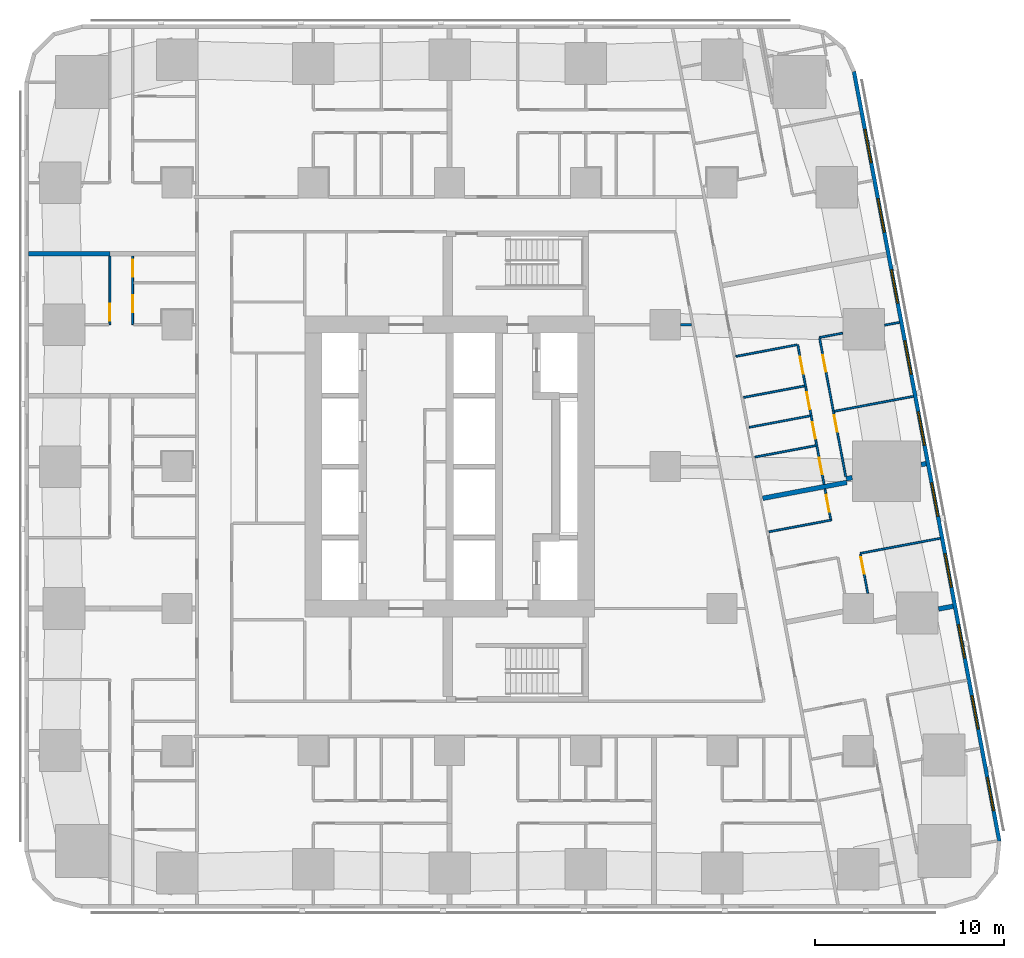
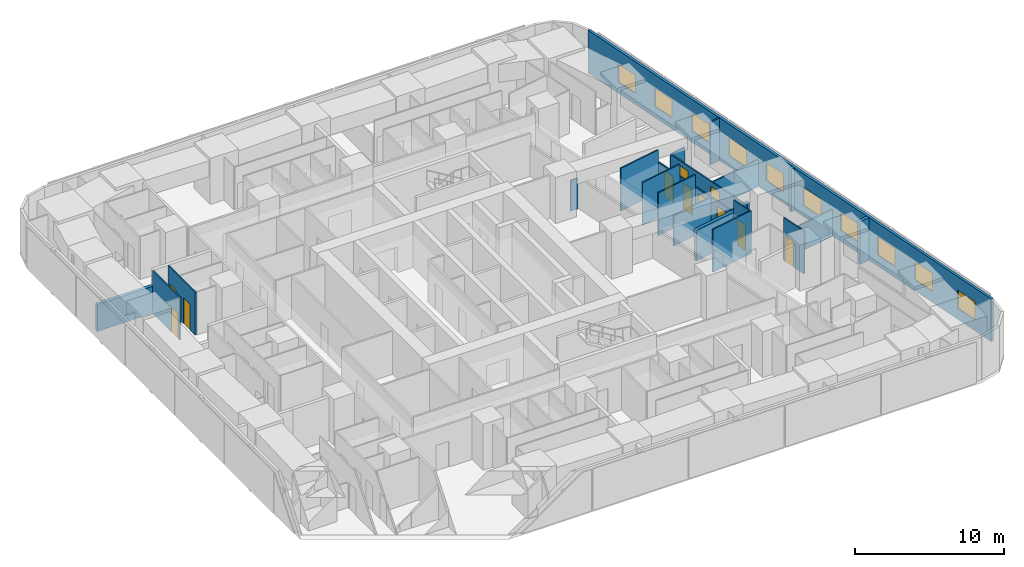
# One storey, part 7 of 15: 22 walls, 11 doors, 10 windows, 21 openings.
"""IFC4 building model written with IfcOpenShell, lengths in metres."""

from ifc_helpers import new_model, si_unit, direction, frame, frame_2d, origin, place, context, subcontext, project, spatial, rectangle, extrude, material, layer, layer_set, type_object, element, fill, save


model = new_model("IFC4")

# Units and contexts
model_context = context("Model", 3, precision=1e-05, world=origin(), true_north=direction((0.0, 1.0)))
body_context = subcontext(model_context, "Body", "Model", "MODEL_VIEW")
ifc_project = project(units=[si_unit("LENGTHUNIT", "METRE"), si_unit("AREAUNIT", "SQUARE_METRE"), si_unit("VOLUMEUNIT", "CUBIC_METRE"), si_unit("PLANEANGLEUNIT", "RADIAN"), si_unit("MASSUNIT", "GRAM", prefix="KILO")], contexts=[model_context])

# Site, building, storey
site_placement = place(None, origin())
site = spatial("IfcSite", under=ifc_project, at=site_placement, CompositionType="ELEMENT")
building_placement = place(site_placement, origin())
building = spatial("IfcBuilding", under=site, at=building_placement, Name="Sheger Commons Tower", CompositionType="ELEMENT")
storey_placement = place(building_placement, frame((0.0, 0.0, 100.39990234375)))
storey = spatial("IfcBuildingStorey", under=building, at=storey_placement, Name="L25", CompositionType="ELEMENT", Elevation=100.39990234375)

# Walls
ifc_material_1 = material(Name="Dense concrete block masonry, plastered both sides (separating wall between flats)", Category="masonry")
ifc_layer_1 = layer(ifc_material_1, 0.25)
ifc_layer_set_1 = layer_set([ifc_layer_1], Name="DEMISING WALL 250")
wall_type_1 = type_object("IfcWallType", Name="DEMISING WALL 250", PredefinedType="SOLIDWALL", material=ifc_layer_set_1)
wall_1_placement = place(storey_placement, frame((-0.64990234375, 33.75, 0.0), z_axis=(0.0, 0.0, 1.0), x_axis=(1.0, 0.0, 0.0)))
element("IfcWall", 1, at=wall_1_placement, inside=storey, type_object=wall_type_1, Name="Demising wall L25", PredefinedType="SOLIDWALL", context=body_context, shape_type="SweptSolid", body=[
    extrude(rectangle(XDim=4.2998046875, YDim=0.25, at=frame_2d((2.14990234375, 0.0))), origin(), (0.0, 0.0, 1.0), 2.2001953125),
])
wall_2_placement = place(storey_placement, frame((46.781982421875, 22.656982421875, 0.0), z_axis=(0.0, 0.0, 1.0), x_axis=(-0.982104607121, -0.188336243648, 0.0)))
element("IfcWall", 2, at=wall_2_placement, inside=storey, type_object=wall_type_1, Name="Demising wall L25", PredefinedType="SOLIDWALL", context=body_context, shape_type="SweptSolid", body=[
    extrude(rectangle(XDim=0.265625, YDim=0.25, at=frame_2d((0.1328125, 0.0))), origin(), (0.0, 0.0, 1.0), 3.5),
])
wall_3_placement = place(storey_placement, frame((42.873046875, 21.91796875, 0.0), z_axis=(0.0, 0.0, 1.0), x_axis=(-0.982431406936, -0.186624035603, 0.0)))
element("IfcWall", 3, at=wall_3_placement, inside=storey, type_object=wall_type_1, Name="Demising wall L25", PredefinedType="SOLIDWALL", context=body_context, shape_type="SweptSolid", body=[
    extrude(rectangle(XDim=0.32177734375, YDim=0.25, at=frame_2d((0.160888671875, 0.0))), origin(), (0.0, 0.0, 1.0), 2.5),
])
wall_4_placement = place(storey_placement, frame((42.593017578125, 21.6650390625, 0.0), z_axis=(0.0, 0.0, 1.0), x_axis=(-0.982612837616, -0.185666398014, 0.0)))
element("IfcWall", 4, at=wall_4_placement, inside=storey, type_object=wall_type_1, Name="Demising wall L25", PredefinedType="SOLIDWALL", context=body_context, shape_type="SweptSolid", body=[
    extrude(rectangle(XDim=4.524658203125, YDim=0.25, at=frame_2d((2.26220703125, 0.0))), origin(), (0.0, 0.0, 1.0), 2.5),
])
wall_5_placement = place(storey_placement, frame((48.2060546875, 15.1201171875, 0.0), z_axis=(0.0, 0.0, 1.0), x_axis=(-0.982638023929, -0.185533053469, 0.0)))
element("IfcWall", 5, at=wall_5_placement, inside=storey, type_object=wall_type_1, Name="Demising wall L25", PredefinedType="SOLIDWALL", context=body_context, shape_type="SweptSolid", body=[
    extrude(rectangle(XDim=0.78173828125, YDim=0.25, at=frame_2d((0.390869140625, 0.0))), origin(), (0.0, 0.0, 1.0), 3.5),
])

# Wall, openings, windows
ifc_material_2 = material(Name="Rendered concrete block masonry, dark grey", Category="masonry")
ifc_layer_2 = layer(ifc_material_2, 0.199951171875)
ifc_layer_set_2 = layer_set([ifc_layer_2], Name="FACADE WALL 200")
wall_type_2 = type_object("IfcWallType", Name="FACADE WALL 200", PredefinedType="SOLIDWALL", material=ifc_layer_set_2)
wall_6_placement = place(storey_placement, frame((50.653076171875, 2.702880859375, 0.0), z_axis=(0.0, 0.0, 1.0), x_axis=(-0.185612026696, 0.982623109613, 0.0)))
wall_6 = element("IfcWall", 6, at=wall_6_placement, inside=storey, type_object=wall_type_2, Name="Facade wall L25", PredefinedType="SOLIDWALL", context=body_context, shape_type="SweptSolid", body=[
    extrude(rectangle(XDim=41.393310546875, YDim=0.199951171875, at=frame_2d((20.69677734375, 0.0))), origin(), (0.0, 0.0, 1.0), 3.5),
])
opening_1_placement = place(wall_6_placement, frame((1.633056640625, 0.0, 0.89990234375)))
opening_1 = element("IfcOpeningElement", 7, at=opening_1_placement, cuts=wall_6, Name="Opening W2", PredefinedType="OPENING", context=body_context, shape_type="SweptSolid", body=[
    extrude(rectangle(XDim=1.800048828125, YDim=1.5, at=frame_2d((0.89990234375, 0.75))), frame((0.0, 0.10986328125, 0.0), z_axis=(0.0, -1.0, 0.0), x_axis=(1.0, 0.0, 0.0)), (0.0, 0.0, 1.0), 0.219970703125),
])
opening_2_placement = place(wall_6_placement, frame((6.031982421875, 0.0, 0.89990234375)))
opening_2 = element("IfcOpeningElement", 8, at=opening_2_placement, cuts=wall_6, Name="Opening W2", PredefinedType="OPENING", context=body_context, shape_type="SweptSolid", body=[
    extrude(rectangle(XDim=1.800048828125, YDim=1.5, at=frame_2d((0.89990234375, 0.75))), frame((0.0, 0.10986328125, 0.0), z_axis=(0.0, -1.0, 0.0), x_axis=(1.0, 0.0, 0.0)), (0.0, 0.0, 1.0), 0.219970703125),
])
opening_3_placement = place(wall_6_placement, frame((9.847900390625, 0.0, 0.89990234375)))
opening_3 = element("IfcOpeningElement", 9, at=opening_3_placement, cuts=wall_6, Name="Opening W2", PredefinedType="OPENING", context=body_context, shape_type="SweptSolid", body=[
    extrude(rectangle(XDim=1.800048828125, YDim=1.5, at=frame_2d((0.89990234375, 0.75))), frame((0.0, 0.10986328125, 0.0), z_axis=(0.0, -1.0, 0.0), x_axis=(1.0, 0.0, 0.0)), (0.0, 0.0, 1.0), 0.219970703125),
])
opening_4_placement = place(wall_6_placement, frame((13.6640625, 0.0, 0.89990234375)))
opening_4 = element("IfcOpeningElement", 10, at=opening_4_placement, cuts=wall_6, Name="Opening W2", PredefinedType="OPENING", context=body_context, shape_type="SweptSolid", body=[
    extrude(rectangle(XDim=1.800048828125, YDim=1.5, at=frame_2d((0.89990234375, 0.75))), frame((0.0, 0.10986328125, 0.0), z_axis=(0.0, -1.0, 0.0), x_axis=(1.0, 0.0, 0.0)), (0.0, 0.0, 1.0), 0.219970703125),
])
opening_5_placement = place(wall_6_placement, frame((17.48095703125, 0.0, 0.89990234375)))
opening_5 = element("IfcOpeningElement", 11, at=opening_5_placement, cuts=wall_6, Name="Opening W2", PredefinedType="OPENING", context=body_context, shape_type="SweptSolid", body=[
    extrude(rectangle(XDim=1.800048828125, YDim=1.5, at=frame_2d((0.89990234375, 0.75))), frame((0.0, 0.10986328125, 0.0), z_axis=(0.0, -1.0, 0.0), x_axis=(1.0, 0.0, 0.0)), (0.0, 0.0, 1.0), 0.219970703125),
])
opening_6_placement = place(wall_6_placement, frame((21.297119140625, 0.0, 0.89990234375)))
opening_6 = element("IfcOpeningElement", 12, at=opening_6_placement, cuts=wall_6, Name="Opening W2", PredefinedType="OPENING", context=body_context, shape_type="SweptSolid", body=[
    extrude(rectangle(XDim=1.800048828125, YDim=1.5, at=frame_2d((0.89990234375, 0.75))), frame((0.0, 0.10986328125, 0.0), z_axis=(0.0, -1.0, 0.0), x_axis=(1.0, 0.0, 0.0)), (0.0, 0.0, 1.0), 0.219970703125),
])
opening_7_placement = place(wall_6_placement, frame((25.113037109375, 0.0, 0.89990234375)))
opening_7 = element("IfcOpeningElement", 13, at=opening_7_placement, cuts=wall_6, Name="Opening W2", PredefinedType="OPENING", context=body_context, shape_type="SweptSolid", body=[
    extrude(rectangle(XDim=1.800048828125, YDim=1.5, at=frame_2d((0.89990234375, 0.75))), frame((0.0, 0.10986328125, 0.0), z_axis=(0.0, -1.0, 0.0), x_axis=(1.0, 0.0, 0.0)), (0.0, 0.0, 1.0), 0.219970703125),
])
opening_8_placement = place(wall_6_placement, frame((28.929931640625, 0.0, 0.89990234375)))
opening_8 = element("IfcOpeningElement", 14, at=opening_8_placement, cuts=wall_6, Name="Opening W2", PredefinedType="OPENING", context=body_context, shape_type="SweptSolid", body=[
    extrude(rectangle(XDim=1.800048828125, YDim=1.5, at=frame_2d((0.89990234375, 0.75))), frame((0.0, 0.10986328125, 0.0), z_axis=(0.0, -1.0, 0.0), x_axis=(1.0, 0.0, 0.0)), (0.0, 0.0, 1.0), 0.219970703125),
])
opening_9_placement = place(wall_6_placement, frame((32.74609375, 0.0, 0.89990234375)))
opening_9 = element("IfcOpeningElement", 15, at=opening_9_placement, cuts=wall_6, Name="Opening W2", PredefinedType="OPENING", context=body_context, shape_type="SweptSolid", body=[
    extrude(rectangle(XDim=1.800048828125, YDim=1.5, at=frame_2d((0.89990234375, 0.75))), frame((0.0, 0.10986328125, 0.0), z_axis=(0.0, -1.0, 0.0), x_axis=(1.0, 0.0, 0.0)), (0.0, 0.0, 1.0), 0.219970703125),
])
opening_10_placement = place(wall_6_placement, frame((36.48095703125, 0.0, 0.89990234375)))
opening_10 = element("IfcOpeningElement", 16, at=opening_10_placement, cuts=wall_6, Name="Opening W2", PredefinedType="OPENING", context=body_context, shape_type="SweptSolid", body=[
    extrude(rectangle(XDim=1.800048828125, YDim=1.5, at=frame_2d((0.89990234375, 0.75))), frame((0.0, 0.10986328125, 0.0), z_axis=(0.0, -1.0, 0.0), x_axis=(1.0, 0.0, 0.0)), (0.0, 0.0, 1.0), 0.219970703125),
])
ifc_material_3 = material(Name="Black aluminium frame, dark tinted double glazing", Category="aluminium")
window_type = type_object("IfcWindowType", Name="WINDOW W2 1800x1500", PartitioningType="SINGLE_PANEL", PredefinedType="WINDOW", material=ifc_material_3)
window_1_placement = place(opening_1_placement, origin())
window_1 = element("IfcWindow", 17, at=window_1_placement, inside=storey, type_object=window_type, Name="Window W2 1800X1500", OverallHeight=1.5, OverallWidth=1.800048828125, PartitioningType="SINGLE_PANEL", PredefinedType="WINDOW", context=body_context, shape_type="SweptSolid", body=[
    extrude(rectangle(XDim=1.800048828125, YDim=1.5, at=frame_2d((0.89990234375, 0.75))), frame((0.0, 0.030029296875, 0.0), z_axis=(0.0, -1.0, 0.0), x_axis=(1.0, 0.0, 0.0)), (0.0, 0.0, 1.0), 0.06005859375),
])
fill(opening_1, window_1)
window_2_placement = place(opening_2_placement, origin())
window_2 = element("IfcWindow", 18, at=window_2_placement, inside=storey, type_object=window_type, Name="Window W2 1800X1500", OverallHeight=1.5, OverallWidth=1.800048828125, PartitioningType="SINGLE_PANEL", PredefinedType="WINDOW", context=body_context, shape_type="SweptSolid", body=[
    extrude(rectangle(XDim=1.800048828125, YDim=1.5, at=frame_2d((0.89990234375, 0.75))), frame((0.0, 0.030029296875, 0.0), z_axis=(0.0, -1.0, 0.0), x_axis=(1.0, 0.0, 0.0)), (0.0, 0.0, 1.0), 0.06005859375),
])
fill(opening_2, window_2)
window_3_placement = place(opening_3_placement, origin())
window_3 = element("IfcWindow", 19, at=window_3_placement, inside=storey, type_object=window_type, Name="Window W2 1800X1500", OverallHeight=1.5, OverallWidth=1.800048828125, PartitioningType="SINGLE_PANEL", PredefinedType="WINDOW", context=body_context, shape_type="SweptSolid", body=[
    extrude(rectangle(XDim=1.800048828125, YDim=1.5, at=frame_2d((0.89990234375, 0.75))), frame((0.0, 0.030029296875, 0.0), z_axis=(0.0, -1.0, 0.0), x_axis=(1.0, 0.0, 0.0)), (0.0, 0.0, 1.0), 0.06005859375),
])
fill(opening_3, window_3)
window_4_placement = place(opening_4_placement, origin())
window_4 = element("IfcWindow", 20, at=window_4_placement, inside=storey, type_object=window_type, Name="Window W2 1800X1500", OverallHeight=1.5, OverallWidth=1.800048828125, PartitioningType="SINGLE_PANEL", PredefinedType="WINDOW", context=body_context, shape_type="SweptSolid", body=[
    extrude(rectangle(XDim=1.800048828125, YDim=1.5, at=frame_2d((0.89990234375, 0.75))), frame((0.0, 0.030029296875, 0.0), z_axis=(0.0, -1.0, 0.0), x_axis=(1.0, 0.0, 0.0)), (0.0, 0.0, 1.0), 0.06005859375),
])
fill(opening_4, window_4)
window_5_placement = place(opening_5_placement, origin())
window_5 = element("IfcWindow", 21, at=window_5_placement, inside=storey, type_object=window_type, Name="Window W2 1800X1500", OverallHeight=1.5, OverallWidth=1.800048828125, PartitioningType="SINGLE_PANEL", PredefinedType="WINDOW", context=body_context, shape_type="SweptSolid", body=[
    extrude(rectangle(XDim=1.800048828125, YDim=1.5, at=frame_2d((0.89990234375, 0.75))), frame((0.0, 0.030029296875, 0.0), z_axis=(0.0, -1.0, 0.0), x_axis=(1.0, 0.0, 0.0)), (0.0, 0.0, 1.0), 0.06005859375),
])
fill(opening_5, window_5)
window_6_placement = place(opening_6_placement, origin())
window_6 = element("IfcWindow", 22, at=window_6_placement, inside=storey, type_object=window_type, Name="Window W2 1800X1500", OverallHeight=1.5, OverallWidth=1.800048828125, PartitioningType="SINGLE_PANEL", PredefinedType="WINDOW", context=body_context, shape_type="SweptSolid", body=[
    extrude(rectangle(XDim=1.800048828125, YDim=1.5, at=frame_2d((0.89990234375, 0.75))), frame((0.0, 0.030029296875, 0.0), z_axis=(0.0, -1.0, 0.0), x_axis=(1.0, 0.0, 0.0)), (0.0, 0.0, 1.0), 0.06005859375),
])
fill(opening_6, window_6)
window_7_placement = place(opening_7_placement, origin())
window_7 = element("IfcWindow", 23, at=window_7_placement, inside=storey, type_object=window_type, Name="Window W2 1800X1500", OverallHeight=1.5, OverallWidth=1.800048828125, PartitioningType="SINGLE_PANEL", PredefinedType="WINDOW", context=body_context, shape_type="SweptSolid", body=[
    extrude(rectangle(XDim=1.800048828125, YDim=1.5, at=frame_2d((0.89990234375, 0.75))), frame((0.0, 0.030029296875, 0.0), z_axis=(0.0, -1.0, 0.0), x_axis=(1.0, 0.0, 0.0)), (0.0, 0.0, 1.0), 0.06005859375),
])
fill(opening_7, window_7)
window_8_placement = place(opening_8_placement, origin())
window_8 = element("IfcWindow", 24, at=window_8_placement, inside=storey, type_object=window_type, Name="Window W2 1800X1500", OverallHeight=1.5, OverallWidth=1.800048828125, PartitioningType="SINGLE_PANEL", PredefinedType="WINDOW", context=body_context, shape_type="SweptSolid", body=[
    extrude(rectangle(XDim=1.800048828125, YDim=1.5, at=frame_2d((0.89990234375, 0.75))), frame((0.0, 0.030029296875, 0.0), z_axis=(0.0, -1.0, 0.0), x_axis=(1.0, 0.0, 0.0)), (0.0, 0.0, 1.0), 0.06005859375),
])
fill(opening_8, window_8)
window_9_placement = place(opening_9_placement, origin())
window_9 = element("IfcWindow", 25, at=window_9_placement, inside=storey, type_object=window_type, Name="Window W2 1800X1500", OverallHeight=1.5, OverallWidth=1.800048828125, PartitioningType="SINGLE_PANEL", PredefinedType="WINDOW", context=body_context, shape_type="SweptSolid", body=[
    extrude(rectangle(XDim=1.800048828125, YDim=1.5, at=frame_2d((0.89990234375, 0.75))), frame((0.0, 0.030029296875, 0.0), z_axis=(0.0, -1.0, 0.0), x_axis=(1.0, 0.0, 0.0)), (0.0, 0.0, 1.0), 0.06005859375),
])
fill(opening_9, window_9)
window_10_placement = place(opening_10_placement, origin())
window_10 = element("IfcWindow", 26, at=window_10_placement, inside=storey, type_object=window_type, Name="Window W2 1800X1500", OverallHeight=1.5, OverallWidth=1.800048828125, PartitioningType="SINGLE_PANEL", PredefinedType="WINDOW", context=body_context, shape_type="SweptSolid", body=[
    extrude(rectangle(XDim=1.800048828125, YDim=1.5, at=frame_2d((0.89990234375, 0.75))), frame((0.0, 0.030029296875, 0.0), z_axis=(0.0, -1.0, 0.0), x_axis=(1.0, 0.0, 0.0)), (0.0, 0.0, 1.0), 0.06005859375),
])
fill(opening_10, window_10)

# Wall, opening, door
ifc_material_4 = material(Name="Gypsum board on steel studs", Category="steel")
ifc_layer_3 = layer(ifc_material_4, 0.10009765625)
ifc_layer_set_3 = layer_set([ifc_layer_3], Name="PARTITION 100")
wall_type_3 = type_object("IfcWallType", Name="PARTITION 100", PredefinedType="PARTITIONING", material=ifc_layer_set_3)
wall_7_placement = place(storey_placement, frame((3.64990234375, 30.0, 0.0), z_axis=(0.0, 0.0, 1.0), x_axis=(0.0, 1.0, 0.0)))
wall_7 = element("IfcWall", 27, at=wall_7_placement, inside=storey, type_object=wall_type_3, Name="Partition L25", PredefinedType="PARTITIONING", context=body_context, shape_type="SweptSolid", body=[
    extrude(rectangle(XDim=3.625, YDim=0.10009765625, at=frame_2d((1.8125, 0.0))), origin(), (0.0, 0.0, 1.0), 3.5),
])
opening_11_placement = place(wall_7_placement, frame((0.199951171875, 0.0, 0.0)))
opening_11 = element("IfcOpeningElement", 28, at=opening_11_placement, cuts=wall_7, Name="Opening D2", PredefinedType="OPENING", context=body_context, shape_type="SweptSolid", body=[
    extrude(rectangle(XDim=0.89990234375, YDim=2.10009765625, at=frame_2d((0.449951171875, 1.050048828125))), frame((0.0, 0.06005859375, 0.0), z_axis=(0.0, -1.0, 0.0), x_axis=(1.0, 0.0, 0.0)), (0.0, 0.0, 1.0), 0.1201171875),
])
ifc_material_5 = material(Name="Timber door set", Category="wood")
door_type = type_object("IfcDoorType", Name="INTERNAL DOOR 900x2100", OperationType="NOTDEFINED", PredefinedType="DOOR", material=ifc_material_5)
door_1_placement = place(opening_11_placement, origin())
door_1 = element("IfcDoor", 29, at=door_1_placement, inside=storey, type_object=door_type, Name="Main bedroom door", OperationType="SINGLE_SWING_LEFT", OverallHeight=2.10009765625, OverallWidth=0.89990234375, PredefinedType="DOOR", context=body_context, shape_type="SweptSolid", body=[
    extrude(rectangle(XDim=0.89990234375, YDim=2.10009765625, at=frame_2d((0.449951171875, 1.050048828125))), frame((0.0, 0.02490234375, 0.0), z_axis=(0.0, -1.0, 0.0), x_axis=(1.0, 0.0, 0.0)), (0.0, 0.0, 1.0), 0.050048828125),
])
fill(opening_11, door_1)

# Wall, openings, doors
wall_8_placement = place(storey_placement, frame((4.85009765625, 30.0, 0.0), z_axis=(0.0, 0.0, 1.0), x_axis=(0.0, 1.0, 0.0)))
wall_8 = element("IfcWall", 30, at=wall_8_placement, inside=storey, type_object=wall_type_3, Name="Partition L25", PredefinedType="PARTITIONING", context=body_context, shape_type="SweptSolid", body=[
    extrude(rectangle(XDim=3.625, YDim=0.10009765625, at=frame_2d((1.8125, 0.0))), origin(), (0.0, 0.0, 1.0), 3.5),
])
opening_12_placement = place(wall_8_placement, frame((0.655029296875, 0.0, 0.0)))
opening_12 = element("IfcOpeningElement", 31, at=opening_12_placement, cuts=wall_8, Name="Opening D2", PredefinedType="OPENING", context=body_context, shape_type="SweptSolid", body=[
    extrude(rectangle(XDim=0.89990234375, YDim=2.10009765625, at=frame_2d((0.449951171875, 1.050048828125))), frame((0.0, 0.06005859375, 0.0), z_axis=(0.0, -1.0, 0.0), x_axis=(1.0, 0.0, 0.0)), (0.0, 0.0, 1.0), 0.1201171875),
])
opening_13_placement = place(wall_8_placement, frame((2.530029296875, 0.0, 0.0)))
opening_13 = element("IfcOpeningElement", 32, at=opening_13_placement, cuts=wall_8, Name="Opening D2", PredefinedType="OPENING", context=body_context, shape_type="SweptSolid", body=[
    extrude(rectangle(XDim=0.89990234375, YDim=2.10009765625, at=frame_2d((0.449951171875, 1.050048828125))), frame((0.0, 0.06005859375, 0.0), z_axis=(0.0, -1.0, 0.0), x_axis=(1.0, 0.0, 0.0)), (0.0, 0.0, 1.0), 0.1201171875),
])
door_2_placement = place(opening_12_placement, origin())
door_2 = element("IfcDoor", 33, at=door_2_placement, inside=storey, type_object=door_type, Name="Bathroom door", OperationType="SINGLE_SWING_RIGHT", OverallHeight=2.10009765625, OverallWidth=0.89990234375, PredefinedType="DOOR", context=body_context, shape_type="SweptSolid", body=[
    extrude(rectangle(XDim=0.89990234375, YDim=2.10009765625, at=frame_2d((0.449951171875, 1.050048828125))), frame((0.0, 0.02490234375, 0.0), z_axis=(0.0, -1.0, 0.0), x_axis=(1.0, 0.0, 0.0)), (0.0, 0.0, 1.0), 0.050048828125),
])
fill(opening_12, door_2)
door_3_placement = place(opening_13_placement, origin())
door_3 = element("IfcDoor", 34, at=door_3_placement, inside=storey, type_object=door_type, Name="Store door", OperationType="SINGLE_SWING_LEFT", OverallHeight=2.10009765625, OverallWidth=0.89990234375, PredefinedType="DOOR", context=body_context, shape_type="SweptSolid", body=[
    extrude(rectangle(XDim=0.89990234375, YDim=2.10009765625, at=frame_2d((0.449951171875, 1.050048828125))), frame((0.0, 0.02490234375, 0.0), z_axis=(0.0, -1.0, 0.0), x_axis=(1.0, 0.0, 0.0)), (0.0, 0.0, 1.0), 0.050048828125),
])
fill(opening_13, door_3)

wall_9_placement = place(storey_placement, frame((41.156982421875, 29.27294921875, 0.0), z_axis=(0.0, 0.0, 1.0), x_axis=(0.18542464283, -0.982658486877, 0.0)))
wall_9 = element("IfcWall", 35, at=wall_9_placement, inside=storey, type_object=wall_type_3, Name="Partition L25", PredefinedType="PARTITIONING", context=body_context, shape_type="SweptSolid", body=[
    extrude(rectangle(XDim=7.420654296875, YDim=0.10009765625, at=frame_2d((3.71044921875, 0.0))), origin(), (0.0, 0.0, 1.0), 2.5),
])
opening_14_placement = place(wall_9_placement, frame((0.89990234375, 0.0, 0.0)))
opening_14 = element("IfcOpeningElement", 36, at=opening_14_placement, cuts=wall_9, Name="Opening D2", PredefinedType="OPENING", context=body_context, shape_type="SweptSolid", body=[
    extrude(rectangle(XDim=0.89990234375, YDim=2.10009765625, at=frame_2d((0.449951171875, 1.050048828125))), frame((0.0, 0.06005859375, 0.0), z_axis=(0.0, -1.0, 0.0), x_axis=(1.0, 0.0, 0.0)), (0.0, 0.0, 1.0), 0.1201171875),
])
opening_15_placement = place(wall_9_placement, frame((4.1259765625, 0.0, 0.0)))
opening_15 = element("IfcOpeningElement", 37, at=opening_15_placement, cuts=wall_9, Name="Opening D2", PredefinedType="OPENING", context=body_context, shape_type="SweptSolid", body=[
    extrude(rectangle(XDim=0.89990234375, YDim=2.10009765625, at=frame_2d((0.449951171875, 1.050048828125))), frame((0.0, 0.06005859375, 0.0), z_axis=(0.0, -1.0, 0.0), x_axis=(1.0, 0.0, 0.0)), (0.0, 0.0, 1.0), 0.1201171875),
])
door_4_placement = place(opening_14_placement, origin())
door_4 = element("IfcDoor", 38, at=door_4_placement, inside=storey, type_object=door_type, Name="Main bedroom door", OperationType="SINGLE_SWING_LEFT", OverallHeight=2.10009765625, OverallWidth=0.89990234375, PredefinedType="DOOR", context=body_context, shape_type="SweptSolid", body=[
    extrude(rectangle(XDim=0.89990234375, YDim=2.10009765625, at=frame_2d((0.449951171875, 1.050048828125))), frame((0.0, 0.02490234375, 0.0), z_axis=(0.0, -1.0, 0.0), x_axis=(1.0, 0.0, 0.0)), (0.0, 0.0, 1.0), 0.050048828125),
])
fill(opening_14, door_4)
door_5_placement = place(opening_15_placement, origin())
door_5 = element("IfcDoor", 39, at=door_5_placement, inside=storey, type_object=door_type, Name="Bedroom 2 door", OperationType="SINGLE_SWING_LEFT", OverallHeight=2.10009765625, OverallWidth=0.89990234375, PredefinedType="DOOR", context=body_context, shape_type="SweptSolid", body=[
    extrude(rectangle(XDim=0.89990234375, YDim=2.10009765625, at=frame_2d((0.449951171875, 1.050048828125))), frame((0.0, 0.02490234375, 0.0), z_axis=(0.0, -1.0, 0.0), x_axis=(1.0, 0.0, 0.0)), (0.0, 0.0, 1.0), 0.050048828125),
])
fill(opening_15, door_5)

wall_10_placement = place(storey_placement, frame((39.9970703125, 28.94189453125, 0.0), z_axis=(0.0, 0.0, 1.0), x_axis=(0.185686318797, -0.982609073341, 0.0)))
wall_10 = element("IfcWall", 40, at=wall_10_placement, inside=storey, type_object=wall_type_3, Name="Partition L25", PredefinedType="PARTITIONING", context=body_context, shape_type="SweptSolid", body=[
    extrude(rectangle(XDim=7.507568359375, YDim=0.10009765625, at=frame_2d((3.75390625, 0.0))), origin(), (0.0, 0.0, 1.0), 2.5),
])
opening_16_placement = place(wall_10_placement, frame((0.655029296875, 0.0, 0.0)))
opening_16 = element("IfcOpeningElement", 41, at=opening_16_placement, cuts=wall_10, Name="Opening D2", PredefinedType="OPENING", context=body_context, shape_type="SweptSolid", body=[
    extrude(rectangle(XDim=0.89990234375, YDim=2.10009765625, at=frame_2d((0.449951171875, 1.050048828125))), frame((0.0, 0.06005859375, 0.0), z_axis=(0.0, -1.0, 0.0), x_axis=(1.0, 0.0, 0.0)), (0.0, 0.0, 1.0), 0.1201171875),
])
opening_17_placement = place(wall_10_placement, frame((4.166015625, 0.0, 0.0)))
opening_17 = element("IfcOpeningElement", 42, at=opening_17_placement, cuts=wall_10, Name="Opening D2", PredefinedType="OPENING", context=body_context, shape_type="SweptSolid", body=[
    extrude(rectangle(XDim=0.89990234375, YDim=2.10009765625, at=frame_2d((0.449951171875, 1.050048828125))), frame((0.0, 0.06005859375, 0.0), z_axis=(0.0, -1.0, 0.0), x_axis=(1.0, 0.0, 0.0)), (0.0, 0.0, 1.0), 0.1201171875),
])
opening_18_placement = place(wall_10_placement, frame((2.56298828125, 0.0, 0.0)))
opening_18 = element("IfcOpeningElement", 43, at=opening_18_placement, cuts=wall_10, Name="Opening D2", PredefinedType="OPENING", context=body_context, shape_type="SweptSolid", body=[
    extrude(rectangle(XDim=0.89990234375, YDim=2.10009765625, at=frame_2d((0.449951171875, 1.050048828125))), frame((0.0, 0.06005859375, 0.0), z_axis=(0.0, -1.0, 0.0), x_axis=(1.0, 0.0, 0.0)), (0.0, 0.0, 1.0), 0.1201171875),
])
opening_19_placement = place(wall_10_placement, frame((6.073974609375, 0.0, 0.0)))
opening_19 = element("IfcOpeningElement", 44, at=opening_19_placement, cuts=wall_10, Name="Opening D2", PredefinedType="OPENING", context=body_context, shape_type="SweptSolid", body=[
    extrude(rectangle(XDim=0.89990234375, YDim=2.10009765625, at=frame_2d((0.449951171875, 1.050048828125))), frame((0.0, 0.06005859375, 0.0), z_axis=(0.0, -1.0, 0.0), x_axis=(1.0, 0.0, 0.0)), (0.0, 0.0, 1.0), 0.1201171875),
])
door_6_placement = place(opening_16_placement, origin())
door_6 = element("IfcDoor", 45, at=door_6_placement, inside=storey, type_object=door_type, Name="Bathroom door", OperationType="SINGLE_SWING_RIGHT", OverallHeight=2.10009765625, OverallWidth=0.89990234375, PredefinedType="DOOR", context=body_context, shape_type="SweptSolid", body=[
    extrude(rectangle(XDim=0.89990234375, YDim=2.10009765625, at=frame_2d((0.449951171875, 1.050048828125))), frame((0.0, 0.02490234375, 0.0), z_axis=(0.0, -1.0, 0.0), x_axis=(1.0, 0.0, 0.0)), (0.0, 0.0, 1.0), 0.050048828125),
])
fill(opening_16, door_6)
door_7_placement = place(opening_17_placement, origin())
door_7 = element("IfcDoor", 46, at=door_7_placement, inside=storey, type_object=door_type, Name="Shower room door", OperationType="SINGLE_SWING_RIGHT", OverallHeight=2.10009765625, OverallWidth=0.89990234375, PredefinedType="DOOR", context=body_context, shape_type="SweptSolid", body=[
    extrude(rectangle(XDim=0.89990234375, YDim=2.10009765625, at=frame_2d((0.449951171875, 1.050048828125))), frame((0.0, 0.02490234375, 0.0), z_axis=(0.0, -1.0, 0.0), x_axis=(1.0, 0.0, 0.0)), (0.0, 0.0, 1.0), 0.050048828125),
])
fill(opening_17, door_7)
door_8_placement = place(opening_18_placement, origin())
door_8 = element("IfcDoor", 47, at=door_8_placement, inside=storey, type_object=door_type, Name="Store door", OperationType="SINGLE_SWING_RIGHT", OverallHeight=2.10009765625, OverallWidth=0.89990234375, PredefinedType="DOOR", context=body_context, shape_type="SweptSolid", body=[
    extrude(rectangle(XDim=0.89990234375, YDim=2.10009765625, at=frame_2d((0.449951171875, 1.050048828125))), frame((0.0, 0.02490234375, 0.0), z_axis=(0.0, -1.0, 0.0), x_axis=(1.0, 0.0, 0.0)), (0.0, 0.0, 1.0), 0.050048828125),
])
fill(opening_18, door_8)
door_9_placement = place(opening_19_placement, origin())
door_9 = element("IfcDoor", 48, at=door_9_placement, inside=storey, type_object=door_type, Name="Store door", OperationType="SINGLE_SWING_LEFT", OverallHeight=2.10009765625, OverallWidth=0.89990234375, PredefinedType="DOOR", context=body_context, shape_type="SweptSolid", body=[
    extrude(rectangle(XDim=0.89990234375, YDim=2.10009765625, at=frame_2d((0.449951171875, 1.050048828125))), frame((0.0, 0.02490234375, 0.0), z_axis=(0.0, -1.0, 0.0), x_axis=(1.0, 0.0, 0.0)), (0.0, 0.0, 1.0), 0.050048828125),
])
fill(opening_19, door_9)

# Walls
wall_11_placement = place(storey_placement, frame((45.3720703125, 30.12109375, 0.0), z_axis=(0.0, 0.0, 1.0), x_axis=(-0.982512656401, -0.186195810938, 0.0)))
element("IfcWall", 49, at=wall_11_placement, inside=storey, type_object=wall_type_3, Name="Partition L25", PredefinedType="PARTITIONING", context=body_context, shape_type="SweptSolid", body=[
    extrude(rectangle(XDim=0.7958984375, YDim=0.10009765625, at=frame_2d((0.39794921875, 0.0))), origin(), (0.0, 0.0, 1.0), 3.5),
])
wall_12_placement = place(storey_placement, frame((42.3701171875, 29.552978515625, 0.0), z_axis=(0.0, 0.0, 1.0), x_axis=(-0.98263602344, -0.185543648338, 0.0)))
element("IfcWall", 50, at=wall_12_placement, inside=storey, type_object=wall_type_3, Name="Partition L25", PredefinedType="PARTITIONING", context=body_context, shape_type="SweptSolid", body=[
    extrude(rectangle(XDim=1.244873046875, YDim=0.10009765625, at=frame_2d((0.62255859375, 0.0))), origin(), (0.0, 0.0, 1.0), 2.5),
])
wall_13_placement = place(storey_placement, frame((46.110107421875, 26.212890625, 0.0), z_axis=(0.0, 0.0, 1.0), x_axis=(-0.982623519589, -0.185609856287, 0.0)))
element("IfcWall", 51, at=wall_13_placement, inside=storey, type_object=wall_type_3, Name="Partition L25", PredefinedType="PARTITIONING", context=body_context, shape_type="SweptSolid", body=[
    extrude(rectangle(XDim=4.249755859375, YDim=0.10009765625, at=frame_2d((2.125, 0.0))), origin(), (0.0, 0.0, 1.0), 2.2001953125),
])
wall_14_placement = place(storey_placement, frame((39.947998046875, 28.93310546875, 0.0), z_axis=(0.0, 0.0, 1.0), x_axis=(-0.982542259571, -0.186039533857, 0.0)))
element("IfcWall", 52, at=wall_14_placement, inside=storey, type_object=wall_type_3, Name="Partition L25", PredefinedType="PARTITIONING", context=body_context, shape_type="SweptSolid", body=[
    extrude(rectangle(XDim=3.274169921875, YDim=0.10009765625, at=frame_2d((1.63720703125, 0.0))), origin(), (0.0, 0.0, 1.0), 3.5),
])
wall_15_placement = place(storey_placement, frame((40.656005859375, 25.18310546875, 0.0), z_axis=(0.0, 0.0, 1.0), x_axis=(-0.982596739811, -0.18575157311, 0.0)))
element("IfcWall", 53, at=wall_15_placement, inside=storey, type_object=wall_type_3, Name="Partition L25", PredefinedType="PARTITIONING", context=body_context, shape_type="SweptSolid", body=[
    extrude(rectangle(XDim=3.27392578125, YDim=0.10009765625, at=frame_2d((1.636962890625, 0.0))), origin(), (0.0, 0.0, 1.0), 3.5),
])
wall_16_placement = place(storey_placement, frame((40.35791015625, 26.760986328125, 0.0), z_axis=(0.0, 0.0, 1.0), x_axis=(-0.982607776398, -0.185693181787, 0.0)))
element("IfcWall", 54, at=wall_16_placement, inside=storey, type_object=wall_type_3, Name="Partition L25", PredefinedType="PARTITIONING", context=body_context, shape_type="SweptSolid", body=[
    extrude(rectangle(XDim=3.273681640625, YDim=0.10009765625, at=frame_2d((1.63671875, 0.0))), origin(), (0.0, 0.0, 1.0), 3.5),
])
wall_17_placement = place(storey_placement, frame((40.9541015625, 23.610107421875, 0.0), z_axis=(0.0, 0.0, 1.0), x_axis=(-0.982661397469, -0.185409217473, 0.0)))
element("IfcWall", 55, at=wall_17_placement, inside=storey, type_object=wall_type_3, Name="Partition L25", PredefinedType="PARTITIONING", context=body_context, shape_type="SweptSolid", body=[
    extrude(rectangle(XDim=3.27490234375, YDim=0.10009765625, at=frame_2d((1.637451171875, 0.0))), origin(), (0.0, 0.0, 1.0), 2.5),
])

# Wall, opening, door
wall_18_placement = place(storey_placement, frame((41.43701171875, 21.319091796875, 0.0), z_axis=(0.0, 0.0, 1.0), x_axis=(0.185793689589, -0.982588777113, 0.0)))
wall_18 = element("IfcWall", 56, at=wall_18_placement, inside=storey, type_object=wall_type_3, Name="Partition L25", PredefinedType="PARTITIONING", context=body_context, shape_type="SweptSolid", body=[
    extrude(rectangle(XDim=1.62548828125, YDim=0.10009765625, at=frame_2d((0.812744140625, 0.0))), origin(), (0.0, 0.0, 1.0), 3.5),
])
opening_20_placement = place(wall_18_placement, frame((0.324951171875, 0.0, 0.0)))
opening_20 = element("IfcOpeningElement", 57, at=opening_20_placement, cuts=wall_18, Name="Opening D2", PredefinedType="OPENING", context=body_context, shape_type="SweptSolid", body=[
    extrude(rectangle(XDim=0.89990234375, YDim=2.10009765625, at=frame_2d((0.449951171875, 1.050048828125))), frame((0.0, 0.06005859375, 0.0), z_axis=(0.0, -1.0, 0.0), x_axis=(1.0, 0.0, 0.0)), (0.0, 0.0, 1.0), 0.1201171875),
])
door_10_placement = place(opening_20_placement, origin())
door_10 = element("IfcDoor", 58, at=door_10_placement, inside=storey, type_object=door_type, Name="Shower room door", OperationType="SINGLE_SWING_RIGHT", OverallHeight=2.10009765625, OverallWidth=0.89990234375, PredefinedType="DOOR", context=body_context, shape_type="SweptSolid", body=[
    extrude(rectangle(XDim=0.89990234375, YDim=2.10009765625, at=frame_2d((0.449951171875, 1.050048828125))), frame((0.0, 0.02490234375, 0.0), z_axis=(0.0, -1.0, 0.0), x_axis=(1.0, 0.0, 0.0)), (0.0, 0.0, 1.0), 0.050048828125),
])
fill(opening_20, door_10)

# Wall
wall_19_placement = place(storey_placement, frame((41.798095703125, 19.681884765625, 0.0), z_axis=(0.0, 0.0, 1.0), x_axis=(-0.982656183703, -0.185436848091, 0.0)))
element("IfcWall", 59, at=wall_19_placement, inside=storey, type_object=wall_type_3, Name="Partition L25", PredefinedType="PARTITIONING", context=body_context, shape_type="SweptSolid", body=[
    extrude(rectangle(XDim=3.375732421875, YDim=0.10009765625, at=frame_2d((1.68798828125, 0.0))), origin(), (0.0, 0.0, 1.0), 3.5),
])

# Wall, opening, door
wall_20_placement = place(storey_placement, frame((43.31103515625, 17.864990234375, 0.0), z_axis=(0.0, 0.0, 1.0), x_axis=(0.185507827929, -0.982642786457, 0.0)))
wall_20 = element("IfcWall", 60, at=wall_20_placement, inside=storey, type_object=wall_type_3, Name="Partition L25", PredefinedType="PARTITIONING", context=body_context, shape_type="SweptSolid", body=[
    extrude(rectangle(XDim=2.09130859375, YDim=0.10009765625, at=frame_2d((1.045654296875, 0.0))), origin(), (0.0, 0.0, 1.0), 3.5),
])
opening_21_placement = place(wall_20_placement, frame((0.14990234375, 0.0, 0.0)))
opening_21 = element("IfcOpeningElement", 61, at=opening_21_placement, cuts=wall_20, Name="Opening D2", PredefinedType="OPENING", context=body_context, shape_type="SweptSolid", body=[
    extrude(rectangle(XDim=0.89990234375, YDim=2.10009765625, at=frame_2d((0.449951171875, 1.050048828125))), frame((0.0, 0.06005859375, 0.0), z_axis=(0.0, -1.0, 0.0), x_axis=(1.0, 0.0, 0.0)), (0.0, 0.0, 1.0), 0.1201171875),
])
door_11_placement = place(opening_21_placement, origin())
door_11 = element("IfcDoor", 62, at=door_11_placement, inside=storey, type_object=door_type, Name="Main bedroom door", OperationType="SINGLE_SWING_LEFT", OverallHeight=2.10009765625, OverallWidth=0.89990234375, PredefinedType="DOOR", context=body_context, shape_type="SweptSolid", body=[
    extrude(rectangle(XDim=0.89990234375, YDim=2.10009765625, at=frame_2d((0.449951171875, 1.050048828125))), frame((0.0, 0.02490234375, 0.0), z_axis=(0.0, -1.0, 0.0), x_axis=(1.0, 0.0, 0.0)), (0.0, 0.0, 1.0), 0.050048828125),
])
fill(opening_21, door_11)

# Walls
wall_21_placement = place(storey_placement, frame((47.527099609375, 18.7119140625, 0.0), z_axis=(0.0, 0.0, 1.0), x_axis=(-0.982633535512, -0.185556823879, 0.0)))
element("IfcWall", 63, at=wall_21_placement, inside=storey, type_object=wall_type_3, Name="Partition L25", PredefinedType="PARTITIONING", context=body_context, shape_type="SweptSolid", body=[
    extrude(rectangle(XDim=4.2998046875, YDim=0.10009765625, at=frame_2d((2.14990234375, 0.0))), origin(), (0.0, 0.0, 1.0), 2.2001953125),
])
ifc_material_6 = material(Name="Gypsum board on steel studs, two layers each side, fire rated", Category="steel")
ifc_layer_4 = layer(ifc_material_6, 0.125)
ifc_layer_set_4 = layer_set([ifc_layer_4], Name="SERVICE WALL 125")
wall_type_4 = type_object("IfcWallType", Name="SERVICE WALL 125", PredefinedType="PARTITIONING", material=ifc_layer_set_4)
wall_22_placement = place(storey_placement, frame((33.801025390625, 30.0, 0.0), z_axis=(0.0, 0.0, 1.0), x_axis=(1.0, 0.0, 0.0)))
element("IfcWall", 64, at=wall_22_placement, inside=storey, type_object=wall_type_4, Name="Service room wall L25", PredefinedType="PARTITIONING", context=body_context, shape_type="SweptSolid", body=[
    extrude(rectangle(XDim=0.577880859375, YDim=0.125, at=frame_2d((0.2890625, 0.0))), origin(), (0.0, 0.0, 1.0), 2.5),
])

save(model, "model.ifc")
